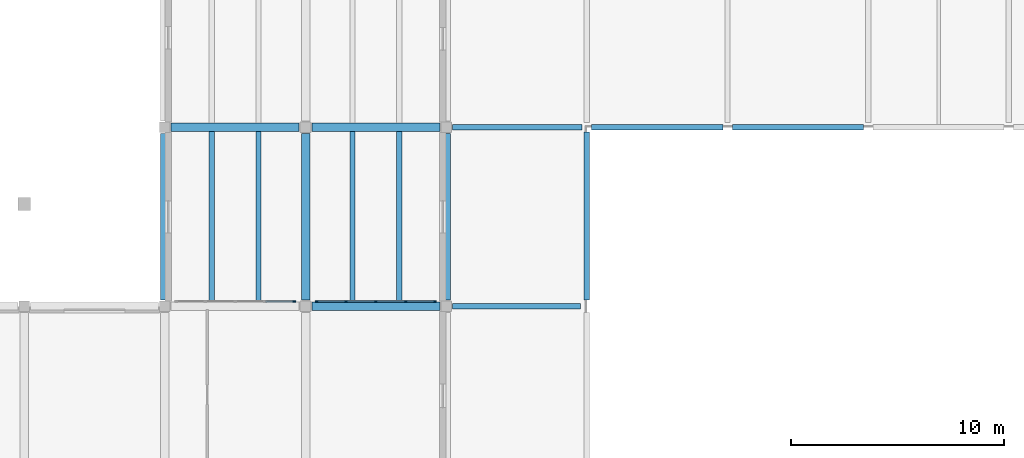
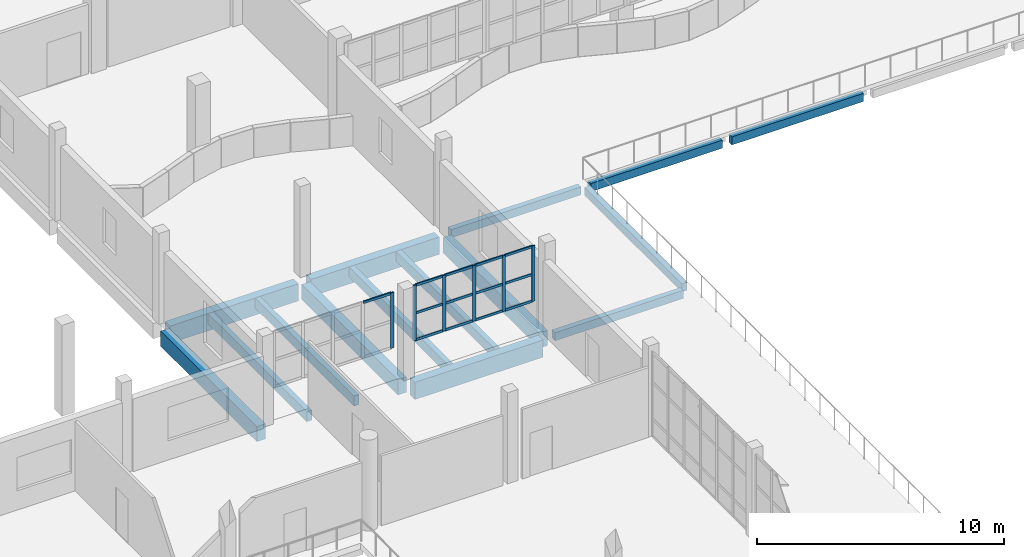
# One storey, part 8 of 83: 19 members, 15 beams, 2 elements without a shape of their own.
"""IFC4 building model written with IfcOpenShell, lengths in metres."""

from ifc_helpers import new_model, si_unit, direction, frame, origin, origin_2d, place, context, subcontext, project, spatial, rectangle, extrude, material, material_profile, profile_set, type_object, element, aggregate, save


model = new_model("IFC4")

# Units and contexts
model_context = context("Model", 3, precision=1e-05, world=origin(), true_north=direction((0.0, 1.0)))
body_context = subcontext(model_context, "Body", "Model", "MODEL_VIEW")
ifc_project = project(units=[si_unit("LENGTHUNIT", "METRE"), si_unit("AREAUNIT", "SQUARE_METRE"), si_unit("VOLUMEUNIT", "CUBIC_METRE"), si_unit("PLANEANGLEUNIT", "RADIAN"), si_unit("MASSUNIT", "GRAM", prefix="KILO")], contexts=[model_context])

# Site, building, storey
site_placement = place(None, origin())
site = spatial("IfcSite", under=ifc_project, at=site_placement, CompositionType="ELEMENT")
building_placement = place(site_placement, origin())
building = spatial("IfcBuilding", under=site, at=building_placement, Name="Qaldarim Faculty of Natural and Applied Sciences", CompositionType="ELEMENT")
storey_placement = place(building_placement, frame((0.0, 0.0, 5.39990234375)))
storey = spatial("IfcBuildingStorey", under=building, at=storey_placement, Name="L01", CompositionType="ELEMENT", Elevation=5.39990234375)

# Beams
ifc_material_1 = material(Name="Concrete C40/50", Category="concrete")
ifc_material_profile_1 = material_profile(ifc_material_1, rectangle(XDim=0.25, YDim=0.39990234375, at=origin_2d()), Name="RC-LN250x400")
ifc_profile_set_1 = profile_set([ifc_material_profile_1], Name="Concrete C40/50")
beam_type_1 = type_object("IfcBeamType", Name="ArcadeLintel-RC250x400", PredefinedType="LINTEL", material=ifc_profile_set_1)
beam_1_placement = place(storey_placement, frame((46.5, 84.0, -0.39990234375), z_axis=(1.0, 0.0, 0.0), x_axis=(0.0, 1.0, 0.0)))
element("IfcBeam", 1, at=beam_1_placement, inside=storey, type_object=beam_type_1, Name="Beam RC-LN250x400 L00 X08-X09/Y11", PredefinedType="LINTEL", context=body_context, shape_type="SweptSolid", body=[
    extrude(rectangle(XDim=0.25, YDim=0.39990234375, at=origin_2d()), origin(), (0.0, 0.0, 1.0), 6.0),
])
beam_2_placement = place(storey_placement, frame((46.5, 92.39990234375, -0.39990234375), z_axis=(1.0, 0.0, 0.0), x_axis=(0.0, 1.0, 0.0)))
element("IfcBeam", 2, at=beam_2_placement, inside=storey, type_object=beam_type_1, Name="Beam RC-LN250x400 L00 X08-X09/Y12", PredefinedType="LINTEL", context=body_context, shape_type="SweptSolid", body=[
    extrude(rectangle(XDim=0.25, YDim=0.39990234375, at=origin_2d()), origin(), (0.0, 0.0, 1.0), 6.074951171875),
])
beam_3_placement = place(storey_placement, frame((53.02490234375, 92.39990234375, -0.39990234375), z_axis=(1.0, 0.0, 0.0), x_axis=(0.0, 1.0, 0.0)))
element("IfcBeam", 3, at=beam_3_placement, inside=storey, type_object=beam_type_1, Name="Beam RC-LN250x400 L00 X09-X10/Y12", PredefinedType="LINTEL", context=body_context, shape_type="SweptSolid", body=[
    extrude(rectangle(XDim=0.25, YDim=0.39990234375, at=origin_2d()), origin(), (0.0, 0.0, 1.0), 6.150146484375),
])
beam_4_placement = place(storey_placement, frame((59.625, 92.39990234375, -0.39990234375), z_axis=(1.0, 0.0, 0.0), x_axis=(0.0, 1.0, 0.0)))
element("IfcBeam", 4, at=beam_4_placement, inside=storey, type_object=beam_type_1, Name="Beam RC-LN250x400 L00 X10-X11/Y12", PredefinedType="LINTEL", context=body_context, shape_type="SweptSolid", body=[
    extrude(rectangle(XDim=0.25, YDim=0.39990234375, at=origin_2d()), origin(), (0.0, 0.0, 1.0), 6.14990234375),
])
beam_5_placement = place(storey_placement, frame((52.800048828125, 84.300048828125, -0.39990234375), z_axis=(0.0, 1.0, 0.0), x_axis=(-1.0, 0.0, 0.0)))
element("IfcBeam", 5, at=beam_5_placement, inside=storey, type_object=beam_type_1, Name="Beam RC-LN250x400 L00 X09/Y11-Y12", PredefinedType="LINTEL", context=body_context, shape_type="SweptSolid", body=[
    extrude(rectangle(XDim=0.25, YDim=0.39990234375, at=origin_2d()), origin(), (0.0, 0.0, 1.0), 7.875),
])
ifc_material_profile_2 = material_profile(ifc_material_1, rectangle(XDim=0.239990234375, YDim=0.5, at=origin_2d()), Name="RC-J240x500")
ifc_profile_set_2 = profile_set([ifc_material_profile_2], Name="Concrete C40/50")
beam_type_2 = type_object("IfcBeamType", Name="HeavyJoist-RC240x500", PredefinedType="JOIST", material=ifc_profile_set_2)
for number, where, z_axis, x_axis, name in (
    (6, (35.199951171875, 84.199951171875, -0.5498046875), (0.0, 1.0, 0.0), (-1.0, 0.0, 0.0), "Laboratory joist L00 bay X06Y11-1"),
    (7, (37.39990234375, 84.199951171875, -0.5498046875), (0.0, 1.0, 0.0), (-1.0, 0.0, 0.0), "Laboratory joist L00 bay X06Y11-2"),
    (8, (41.800048828125, 84.199951171875, -0.5498046875), (0.0, 1.0, 0.0), (-1.0, 0.0, 0.0), "Laboratory joist L00 bay X07Y11-1"),
    (9, (44.0, 84.199951171875, -0.5498046875), (0.0, 1.0, 0.0), (-1.0, 0.0, 0.0), "Laboratory joist L00 bay X07Y11-2"),
):
    element("IfcBeam", number, at=place(storey_placement, frame(where, z_axis=z_axis, x_axis=x_axis)), inside=storey, type_object=beam_type_2, Name=name, PredefinedType="JOIST", context=body_context, shape_type="SweptSolid", body=[
        extrude(rectangle(XDim=0.239990234375, YDim=0.5, at=origin_2d()), origin(), (0.0, 0.0, 1.0), 8.0),
    ])
ifc_material_2 = material(Name="Concrete C50/60", Category="concrete")
ifc_material_profile_3 = material_profile(ifc_material_2, rectangle(XDim=0.39990234375, YDim=0.75, at=origin_2d()), Name="RC-B400x750")
ifc_profile_set_3 = profile_set([ifc_material_profile_3], Name="Concrete C50/60")
beam_type_3 = type_object("IfcBeamType", Name="LabGirder-RC400x750", PredefinedType="BEAM", material=ifc_profile_set_3)
for number, where, z_axis, x_axis, name in (
    (10, (33.0, 84.300048828125, -0.6748046875), (0.0, 1.0, 0.0), (-1.0, 0.0, 0.0), "Beam RC-B400x750 L00 X06/Y11-Y12"),
    (11, (39.60009765625, 84.300048828125, -0.6748046875), (0.0, 1.0, 0.0), (-1.0, 0.0, 0.0), "Beam RC-B400x750 L00 X07/Y11-Y12"),
    (12, (46.199951171875, 84.300048828125, -0.6748046875), (0.0, 1.0, 0.0), (-1.0, 0.0, 0.0), "Beam RC-B400x750 L00 X08/Y11-Y12"),
):
    element("IfcBeam", number, at=place(storey_placement, frame(where, z_axis=z_axis, x_axis=x_axis)), inside=storey, type_object=beam_type_3, Name=name, PredefinedType="BEAM", context=body_context, shape_type="SweptSolid", body=[
        extrude(rectangle(XDim=0.39990234375, YDim=0.75, at=origin_2d()), origin(), (0.0, 0.0, 1.0), 7.800048828125),
    ])

# Curtain wall, member
ifc_material_3 = material(Name="Anodised aluminium AW-6063", Category="aluminium")
curtain_wall_type = type_object("IfcCurtainWallType", Name="CurtainWallSystem-M1400", PredefinedType="USERDEFINED", material=ifc_material_3)
curtain_wall_1_placement = place(storey_placement, origin())
curtain_wall_1 = element("IfcCurtainWall", 13, at=curtain_wall_1_placement, inside=storey, type_object=curtain_wall_type, Name="Curtain wall CW-V4RIB-L01-X06", ObjectType="STICK CURTAIN WALL", PredefinedType="USERDEFINED")
ifc_material_profile_4 = material_profile(ifc_material_3, rectangle(XDim=0.06005859375, YDim=0.14990234375, at=origin_2d()), Name="ALU-M60x150")
ifc_profile_set_4 = profile_set([ifc_material_profile_4], Name="Anodised aluminium AW-6063")
member_type_1 = type_object("IfcMemberType", Name="Mullion-ALU60x150", PredefinedType="MULLION", material=ifc_profile_set_4)
member_1_placement = place(storey_placement, frame((39.070068359375, 84.219970703125, 1.4501953125), z_axis=(0.0, 0.0, 1.0), x_axis=(0.0, 1.0, 0.0)))
member_1 = element("IfcMember", 14, at=member_1_placement, type_object=member_type_1, Name="Mullion 5 of CW-V4RIB-L01-X06", PredefinedType="MULLION", context=body_context, shape_type="SweptSolid", body=[
    extrude(rectangle(XDim=0.06005859375, YDim=0.14990234375, at=origin_2d()), origin(), (0.0, 0.0, 1.0), 2.75),
])

# Curtain wall, members
curtain_wall_2_placement = place(storey_placement, origin())
curtain_wall_2 = element("IfcCurtainWall", 15, at=curtain_wall_2_placement, inside=storey, type_object=curtain_wall_type, Name="Curtain wall CW-V4RIB-L01-X07", ObjectType="STICK CURTAIN WALL", PredefinedType="USERDEFINED")
member_2_placement = place(storey_placement, frame((40.1298828125, 84.219970703125, 1.4501953125), z_axis=(0.0, 0.0, 1.0), x_axis=(0.0, 1.0, 0.0)))
member_2 = element("IfcMember", 16, at=member_2_placement, type_object=member_type_1, Name="Mullion 1 of CW-V4RIB-L01-X07", PredefinedType="MULLION", context=body_context, shape_type="SweptSolid", body=[
    extrude(rectangle(XDim=0.06005859375, YDim=0.14990234375, at=origin_2d()), origin(), (0.0, 0.0, 1.0), 2.75),
])
member_3_placement = place(storey_placement, frame((41.5, 84.219970703125, 1.4501953125), z_axis=(0.0, 0.0, 1.0), x_axis=(0.0, 1.0, 0.0)))
member_3 = element("IfcMember", 17, at=member_3_placement, type_object=member_type_1, Name="Mullion 2 of CW-V4RIB-L01-X07", PredefinedType="MULLION", context=body_context, shape_type="SweptSolid", body=[
    extrude(rectangle(XDim=0.06005859375, YDim=0.14990234375, at=origin_2d()), origin(), (0.0, 0.0, 1.0), 2.75),
])
member_4_placement = place(storey_placement, frame((42.89990234375, 84.219970703125, 1.4501953125), z_axis=(0.0, 0.0, 1.0), x_axis=(0.0, 1.0, 0.0)))
member_4 = element("IfcMember", 18, at=member_4_placement, type_object=member_type_1, Name="Mullion 3 of CW-V4RIB-L01-X07", PredefinedType="MULLION", context=body_context, shape_type="SweptSolid", body=[
    extrude(rectangle(XDim=0.06005859375, YDim=0.14990234375, at=origin_2d()), origin(), (0.0, 0.0, 1.0), 2.75),
])
member_5_placement = place(storey_placement, frame((44.300048828125, 84.219970703125, 1.4501953125), z_axis=(0.0, 0.0, 1.0), x_axis=(0.0, 1.0, 0.0)))
member_5 = element("IfcMember", 19, at=member_5_placement, type_object=member_type_1, Name="Mullion 4 of CW-V4RIB-L01-X07", PredefinedType="MULLION", context=body_context, shape_type="SweptSolid", body=[
    extrude(rectangle(XDim=0.06005859375, YDim=0.14990234375, at=origin_2d()), origin(), (0.0, 0.0, 1.0), 2.75),
])
member_6_placement = place(storey_placement, frame((45.669921875, 84.219970703125, 1.4501953125), z_axis=(0.0, 0.0, 1.0), x_axis=(0.0, 1.0, 0.0)))
member_6 = element("IfcMember", 20, at=member_6_placement, type_object=member_type_1, Name="Mullion 5 of CW-V4RIB-L01-X07", PredefinedType="MULLION", context=body_context, shape_type="SweptSolid", body=[
    extrude(rectangle(XDim=0.06005859375, YDim=0.14990234375, at=origin_2d()), origin(), (0.0, 0.0, 1.0), 2.75),
])

# Beams
ifc_material_profile_5 = material_profile(ifc_material_2, rectangle(XDim=0.39990234375, YDim=0.85009765625, at=origin_2d()), Name="RC-B400x850")
ifc_profile_set_5 = profile_set([ifc_material_profile_5], Name="Concrete C50/60")
beam_type_4 = type_object("IfcBeamType", Name="PodiumGirder-RC400x850", PredefinedType="BEAM", material=ifc_profile_set_5)
for number, where, z_axis, x_axis, name in (
    (21, (39.89990234375, 84.0, -0.724853515625), (1.0, 0.0, 0.0), (0.0, 1.0, 0.0), "Beam RC-B400x850 L00 X07-X08/Y11"),
    (22, (33.300048828125, 92.39990234375, -0.724853515625), (1.0, 0.0, 0.0), (0.0, 1.0, 0.0), "Beam RC-B400x850 L00 X06-X07/Y12"),
    (23, (39.89990234375, 92.39990234375, -0.724853515625), (1.0, 0.0, 0.0), (0.0, 1.0, 0.0), "Beam RC-B400x850 L00 X07-X08/Y12"),
):
    element("IfcBeam", number, at=place(storey_placement, frame(where, z_axis=z_axis, x_axis=x_axis)), inside=storey, type_object=beam_type_4, Name=name, PredefinedType="BEAM", context=body_context, shape_type="SweptSolid", body=[
        extrude(rectangle(XDim=0.39990234375, YDim=0.85009765625, at=origin_2d()), origin(), (0.0, 0.0, 1.0), 6.0),
    ])

# Member
ifc_material_profile_6 = material_profile(ifc_material_3, rectangle(XDim=0.06005859375, YDim=0.1201171875, at=origin_2d()), Name="ALU-T60x120")
ifc_profile_set_6 = profile_set([ifc_material_profile_6], Name="Anodised aluminium AW-6063")
member_type_2 = type_object("IfcMemberType", Name="Transom-ALU60x120", PredefinedType="USERDEFINED", material=ifc_profile_set_6)
member_7_placement = place(storey_placement, frame((37.72998046875, 84.219970703125, 4.170166015625), z_axis=(1.0, 0.0, 0.0), x_axis=(0.0, 1.0, 0.0)))
member_7 = element("IfcMember", 24, at=member_7_placement, type_object=member_type_2, Name="Transom 4-3 of CW-V4RIB-L01-X06", ObjectType="TRANSOM", PredefinedType="USERDEFINED", context=body_context, shape_type="SweptSolid", body=[
    extrude(rectangle(XDim=0.06005859375, YDim=0.1201171875, at=origin_2d()), origin(), (0.0, 0.0, 1.0), 1.31005859375),
])

aggregate(curtain_wall_1, [member_1, member_7])

member_8_placement = place(storey_placement, frame((40.159912109375, 84.219970703125, 1.47998046875), z_axis=(1.0, 0.0, 0.0), x_axis=(0.0, 1.0, 0.0)))
member_8 = element("IfcMember", 25, at=member_8_placement, type_object=member_type_2, Name="Transom 1-1 of CW-V4RIB-L01-X07", ObjectType="TRANSOM", PredefinedType="USERDEFINED", context=body_context, shape_type="SweptSolid", body=[
    extrude(rectangle(XDim=0.06005859375, YDim=0.1201171875, at=origin_2d()), origin(), (0.0, 0.0, 1.0), 1.31005859375),
])

member_9_placement = place(storey_placement, frame((40.159912109375, 84.219970703125, 2.800048828125), z_axis=(1.0, 0.0, 0.0), x_axis=(0.0, 1.0, 0.0)))
member_9 = element("IfcMember", 26, at=member_9_placement, type_object=member_type_2, Name="Transom 1-2 of CW-V4RIB-L01-X07", ObjectType="TRANSOM", PredefinedType="USERDEFINED", context=body_context, shape_type="SweptSolid", body=[
    extrude(rectangle(XDim=0.06005859375, YDim=0.1201171875, at=origin_2d()), origin(), (0.0, 0.0, 1.0), 1.31005859375),
])

member_10_placement = place(storey_placement, frame((40.159912109375, 84.219970703125, 4.170166015625), z_axis=(1.0, 0.0, 0.0), x_axis=(0.0, 1.0, 0.0)))
member_10 = element("IfcMember", 27, at=member_10_placement, type_object=member_type_2, Name="Transom 1-3 of CW-V4RIB-L01-X07", ObjectType="TRANSOM", PredefinedType="USERDEFINED", context=body_context, shape_type="SweptSolid", body=[
    extrude(rectangle(XDim=0.06005859375, YDim=0.1201171875, at=origin_2d()), origin(), (0.0, 0.0, 1.0), 1.31005859375),
])

member_11_placement = place(storey_placement, frame((41.530029296875, 84.219970703125, 1.47998046875), z_axis=(1.0, 0.0, 0.0), x_axis=(0.0, 1.0, 0.0)))
member_11 = element("IfcMember", 28, at=member_11_placement, type_object=member_type_2, Name="Transom 2-1 of CW-V4RIB-L01-X07", ObjectType="TRANSOM", PredefinedType="USERDEFINED", context=body_context, shape_type="SweptSolid", body=[
    extrude(rectangle(XDim=0.06005859375, YDim=0.1201171875, at=origin_2d()), origin(), (0.0, 0.0, 1.0), 1.340087890625),
])

member_12_placement = place(storey_placement, frame((41.530029296875, 84.219970703125, 2.800048828125), z_axis=(1.0, 0.0, 0.0), x_axis=(0.0, 1.0, 0.0)))
member_12 = element("IfcMember", 29, at=member_12_placement, type_object=member_type_2, Name="Transom 2-2 of CW-V4RIB-L01-X07", ObjectType="TRANSOM", PredefinedType="USERDEFINED", context=body_context, shape_type="SweptSolid", body=[
    extrude(rectangle(XDim=0.06005859375, YDim=0.1201171875, at=origin_2d()), origin(), (0.0, 0.0, 1.0), 1.340087890625),
])

member_13_placement = place(storey_placement, frame((41.530029296875, 84.219970703125, 4.170166015625), z_axis=(1.0, 0.0, 0.0), x_axis=(0.0, 1.0, 0.0)))
member_13 = element("IfcMember", 30, at=member_13_placement, type_object=member_type_2, Name="Transom 2-3 of CW-V4RIB-L01-X07", ObjectType="TRANSOM", PredefinedType="USERDEFINED", context=body_context, shape_type="SweptSolid", body=[
    extrude(rectangle(XDim=0.06005859375, YDim=0.1201171875, at=origin_2d()), origin(), (0.0, 0.0, 1.0), 1.340087890625),
])

member_14_placement = place(storey_placement, frame((42.929931640625, 84.219970703125, 1.47998046875), z_axis=(1.0, 0.0, 0.0), x_axis=(0.0, 1.0, 0.0)))
member_14 = element("IfcMember", 31, at=member_14_placement, type_object=member_type_2, Name="Transom 3-1 of CW-V4RIB-L01-X07", ObjectType="TRANSOM", PredefinedType="USERDEFINED", context=body_context, shape_type="SweptSolid", body=[
    extrude(rectangle(XDim=0.06005859375, YDim=0.1201171875, at=origin_2d()), origin(), (0.0, 0.0, 1.0), 1.340087890625),
])

member_15_placement = place(storey_placement, frame((42.929931640625, 84.219970703125, 2.800048828125), z_axis=(1.0, 0.0, 0.0), x_axis=(0.0, 1.0, 0.0)))
member_15 = element("IfcMember", 32, at=member_15_placement, type_object=member_type_2, Name="Transom 3-2 of CW-V4RIB-L01-X07", ObjectType="TRANSOM", PredefinedType="USERDEFINED", context=body_context, shape_type="SweptSolid", body=[
    extrude(rectangle(XDim=0.06005859375, YDim=0.1201171875, at=origin_2d()), origin(), (0.0, 0.0, 1.0), 1.340087890625),
])

member_16_placement = place(storey_placement, frame((42.929931640625, 84.219970703125, 4.170166015625), z_axis=(1.0, 0.0, 0.0), x_axis=(0.0, 1.0, 0.0)))
member_16 = element("IfcMember", 33, at=member_16_placement, type_object=member_type_2, Name="Transom 3-3 of CW-V4RIB-L01-X07", ObjectType="TRANSOM", PredefinedType="USERDEFINED", context=body_context, shape_type="SweptSolid", body=[
    extrude(rectangle(XDim=0.06005859375, YDim=0.1201171875, at=origin_2d()), origin(), (0.0, 0.0, 1.0), 1.340087890625),
])

member_17_placement = place(storey_placement, frame((44.330078125, 84.219970703125, 1.47998046875), z_axis=(1.0, 0.0, 0.0), x_axis=(0.0, 1.0, 0.0)))
member_17 = element("IfcMember", 34, at=member_17_placement, type_object=member_type_2, Name="Transom 4-1 of CW-V4RIB-L01-X07", ObjectType="TRANSOM", PredefinedType="USERDEFINED", context=body_context, shape_type="SweptSolid", body=[
    extrude(rectangle(XDim=0.06005859375, YDim=0.1201171875, at=origin_2d()), origin(), (0.0, 0.0, 1.0), 1.309814453125),
])

member_18_placement = place(storey_placement, frame((44.330078125, 84.219970703125, 2.800048828125), z_axis=(1.0, 0.0, 0.0), x_axis=(0.0, 1.0, 0.0)))
member_18 = element("IfcMember", 35, at=member_18_placement, type_object=member_type_2, Name="Transom 4-2 of CW-V4RIB-L01-X07", ObjectType="TRANSOM", PredefinedType="USERDEFINED", context=body_context, shape_type="SweptSolid", body=[
    extrude(rectangle(XDim=0.06005859375, YDim=0.1201171875, at=origin_2d()), origin(), (0.0, 0.0, 1.0), 1.309814453125),
])

member_19_placement = place(storey_placement, frame((44.330078125, 84.219970703125, 4.170166015625), z_axis=(1.0, 0.0, 0.0), x_axis=(0.0, 1.0, 0.0)))
member_19 = element("IfcMember", 36, at=member_19_placement, type_object=member_type_2, Name="Transom 4-3 of CW-V4RIB-L01-X07", ObjectType="TRANSOM", PredefinedType="USERDEFINED", context=body_context, shape_type="SweptSolid", body=[
    extrude(rectangle(XDim=0.06005859375, YDim=0.1201171875, at=origin_2d()), origin(), (0.0, 0.0, 1.0), 1.309814453125),
])

aggregate(curtain_wall_2, [member_2, member_3, member_4, member_5, member_6, member_8, member_9, member_10, member_11, member_12, member_13, member_14, member_15, member_16, member_17, member_18, member_19])

save(model, "model.ifc")
